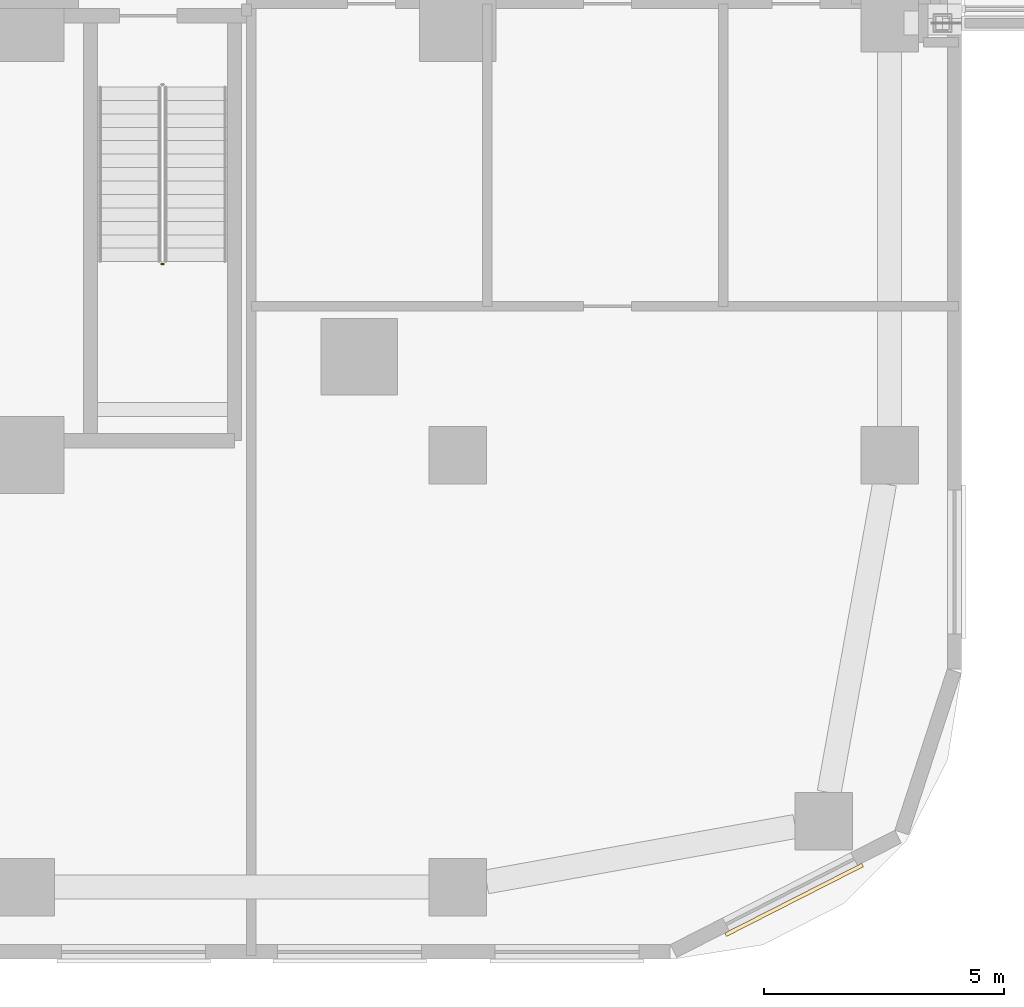
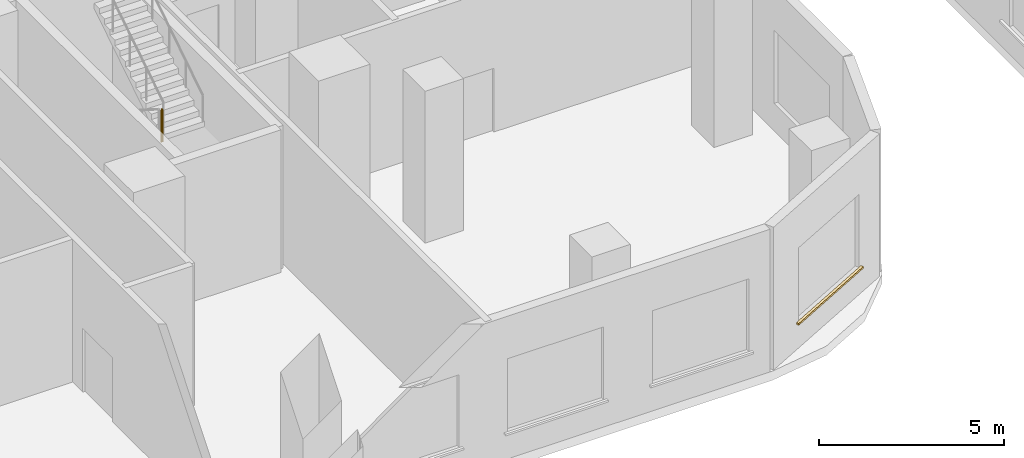
# One storey, part 30 of 35: 1 covering, 1 railing.
"""IFC4 building model written with IfcOpenShell, lengths in metres."""

from ifc_helpers import new_model, si_unit, direction, frame, origin, origin_2d, place, context, subcontext, project, spatial, rectangle, circle, extrude, material, layer, layer_set, type_object, element, save


model = new_model("IFC4")

# Units and contexts
model_context = context("Model", 3, precision=1e-05, world=origin(), true_north=direction((0.0, 1.0)))
body_context = subcontext(model_context, "Body", "Model", "MODEL_VIEW")
ifc_project = project(units=[si_unit("LENGTHUNIT", "METRE"), si_unit("AREAUNIT", "SQUARE_METRE"), si_unit("VOLUMEUNIT", "CUBIC_METRE"), si_unit("PLANEANGLEUNIT", "RADIAN"), si_unit("MASSUNIT", "GRAM", prefix="KILO")], contexts=[model_context])

# Site, building, storey
site_placement = place(None, origin())
site = spatial("IfcSite", under=ifc_project, at=site_placement, CompositionType="ELEMENT")
building_placement = place(site_placement, origin())
building = spatial("IfcBuilding", under=site, at=building_placement, Name="Ogive Portal Towers", CompositionType="ELEMENT")
storey_placement = place(building_placement, frame((0.0, 0.0, 18.5)))
storey = spatial("IfcBuildingStorey", under=building, at=storey_placement, Name="L03", CompositionType="ELEMENT", Elevation=18.5)

# Railing
ifc_material_1 = material(Name="Stainless steel balustrade", Category="steel")
railing_type = type_object("IfcRailingType", Name="INT-GUARD", PredefinedType="GUARDRAIL", material=ifc_material_1)
railing_placement = place(storey_placement, frame((88.330078125, 25.47998046875, 2.5)))
element("IfcRailing", 1, at=railing_placement, inside=storey, type_object=railing_type, Name="L03 ST-A4 stair guard 2", PredefinedType="GUARDRAIL", context=body_context, shape_type="SweptSolid", body=[
    extrude(circle(Radius=0.02392578125, at=origin_2d()), frame((0.0, 0.0, 1.076171875), z_axis=(1.0, 0.0, 0.0), x_axis=(0.0, 1.0, 0.0)), (0.0, 0.0, 1.0), 0.0400390625),
    extrude(circle(Radius=0.02099609375, at=origin_2d()), origin(), (0.0, 0.0, 1.0), 1.052001953125),
    extrude(circle(Radius=0.02099609375, at=origin_2d()), frame((0.0400390625, 0.0, 0.0)), (0.0, 0.0, 1.0), 1.052001953125),
])

# Covering
ifc_material_2 = material(Name="Limestone cladding on lightweight block wall", Category="masonry")
ifc_layer = layer(ifc_material_2, 0.080078125)
ifc_layer_set = layer_set([ifc_layer], Name="STONE SILL 80")
covering_type = type_object("IfcCoveringType", Name="STONE SILL 80", PredefinedType="CLADDING", material=ifc_layer_set)
covering_placement = place(storey_placement, frame((101.50927734375, 12.233642578125, 0.840087890625), z_axis=(0.0, 0.0, 1.0), x_axis=(0.891006524188, 0.45399049974, 0.0)))
element("IfcCovering", 2, at=covering_placement, inside=storey, type_object=covering_type, Name="Stone sill", PredefinedType="CLADDING", context=body_context, shape_type="SweptSolid", body=[
    extrude(rectangle(XDim=3.199951171875, YDim=0.080078125, at=origin_2d()), origin(), (0.0, 0.0, 1.0), 0.06005859375),
])

save(model, "model.ifc")
